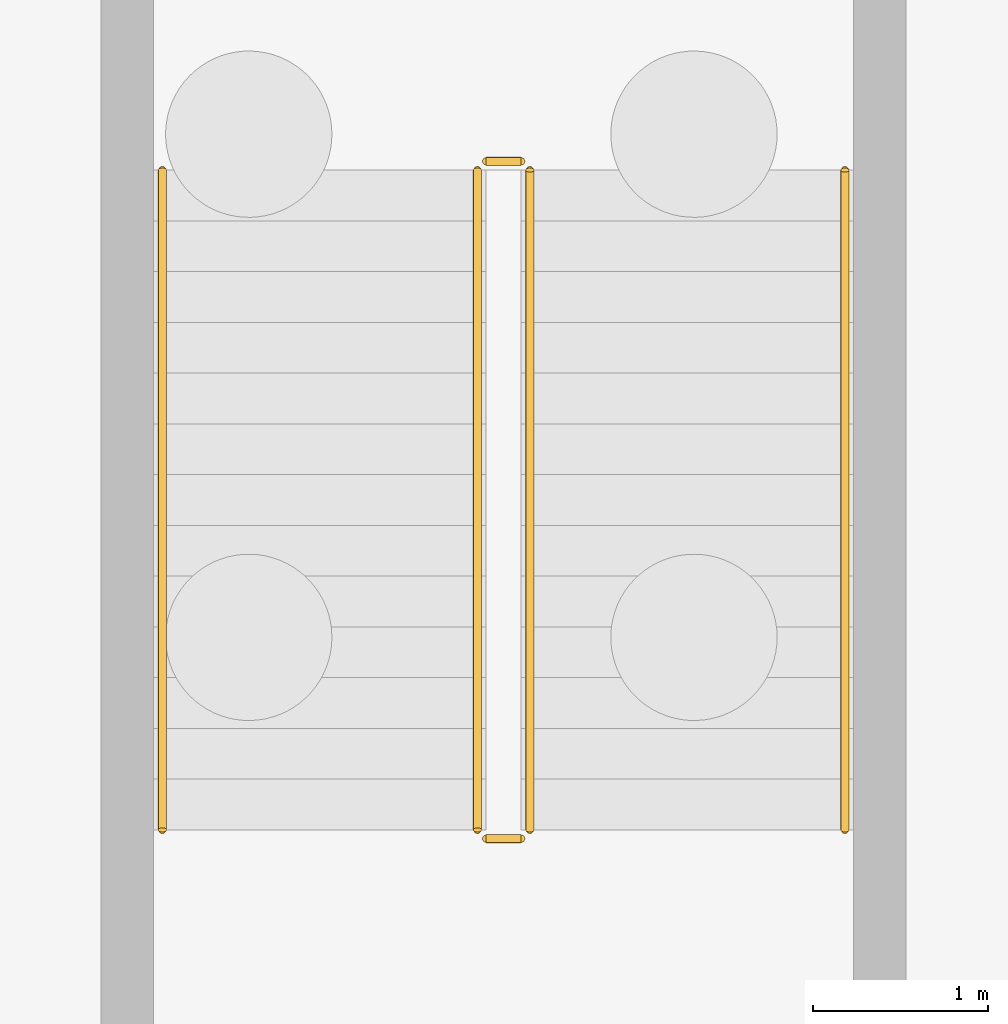
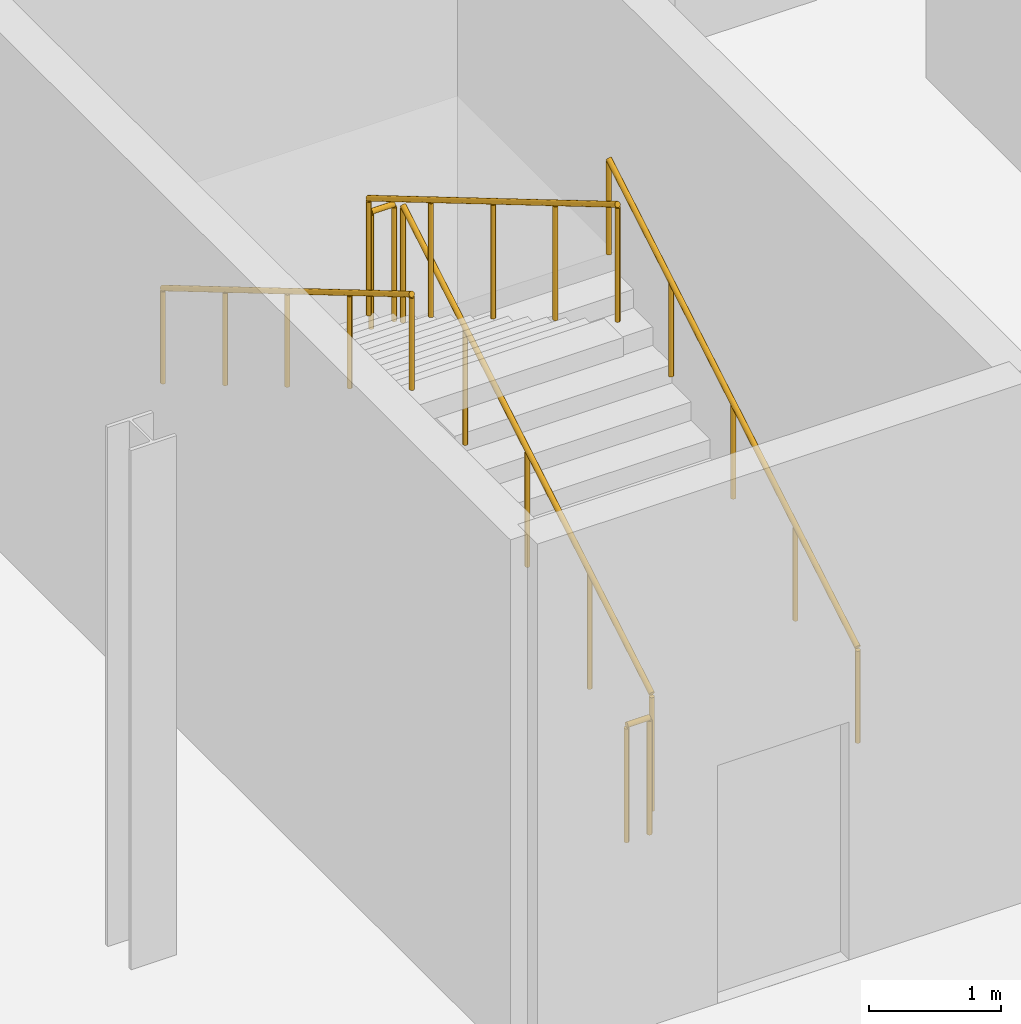
# One storey, part 36 of 37: 6 railings.
"""IFC4 building model written with IfcOpenShell, lengths in metres."""

from ifc_helpers import new_model, si_unit, direction, frame, origin, origin_2d, place, context, subcontext, project, spatial, circle, extrude, material, type_object, element, save


model = new_model("IFC4")

# Units and contexts
model_context = context("Model", 3, precision=1e-05, world=origin(), true_north=direction((0.0, 1.0)))
body_context = subcontext(model_context, "Body", "Model", "MODEL_VIEW")
ifc_project = project(units=[si_unit("LENGTHUNIT", "METRE"), si_unit("AREAUNIT", "SQUARE_METRE"), si_unit("VOLUMEUNIT", "CUBIC_METRE"), si_unit("PLANEANGLEUNIT", "RADIAN"), si_unit("MASSUNIT", "GRAM", prefix="KILO"), si_unit("THERMODYNAMICTEMPERATUREUNIT", "KELVIN"), si_unit("POWERUNIT", "WATT")], contexts=[model_context])

# Site, building, storey
site_placement = place(None, origin())
site = spatial("IfcSite", under=ifc_project, at=site_placement, CompositionType="ELEMENT")
building_placement = place(site_placement, origin())
building = spatial("IfcBuilding", under=site, at=building_placement, Name="Zelmaris Science Centre", CompositionType="ELEMENT")
storey_placement = place(building_placement, frame((0.0, 0.0, -4.800048828125)))
storey = spatial("IfcBuildingStorey", under=building, at=storey_placement, Name="B1", CompositionType="ELEMENT", Elevation=-4.800048828125)

# Railings
ifc_material = material(Name="Architectural bronze alloy C28000")
railing_type_1 = type_object("IfcRailingType", Name="Balustrade GD-01 H1120", PredefinedType="BALUSTRADE", material=ifc_material)
railing_1_placement = place(storey_placement, frame((67.14990234375, 79.449951171875, 0.17138671875)))
element("IfcRailing", 1, at=railing_1_placement, inside=storey, type_object=railing_type_1, Name="B1 ST-3 stair guard 1", PredefinedType="BALUSTRADE", context=body_context, shape_type="SweptSolid", body=[
    extrude(circle(Radius=0.02392578125, at=origin_2d()), frame((0.0, 0.0, 1.076171875), z_axis=(0.0, 0.860824410104, 0.508902087802), x_axis=(-1.0, 0.0, 0.0)), (0.0, 0.0, 1.0), 4.379638671875),
    extrude(circle(Radius=0.02099609375, at=origin_2d()), origin(), (0.0, 0.0, 1.0), 1.052001953125),
    extrude(circle(Radius=0.02099609375, at=origin_2d()), frame((0.0, 0.9423828125, 0.55712890625)), (0.0, 0.0, 1.0), 1.052001953125),
    extrude(circle(Radius=0.02099609375, at=origin_2d()), frame((0.0, 1.885009765625, 1.1142578125)), (0.0, 0.0, 1.0), 1.052001953125),
    extrude(circle(Radius=0.02099609375, at=origin_2d()), frame((0.0, 2.82763671875, 1.671630859375)), (0.0, 0.0, 1.0), 1.052001953125),
    extrude(circle(Radius=0.02099609375, at=origin_2d()), frame((0.0, 3.77001953125, 2.228759765625)), (0.0, 0.0, 1.0), 1.052001953125),
])
railing_2_placement = place(storey_placement, frame((67.10009765625, 83.27001953125, 2.400146484375)))
element("IfcRailing", 2, at=railing_2_placement, inside=storey, type_object=railing_type_1, Name="B1 ST-3 stair guard 2", PredefinedType="BALUSTRADE", context=body_context, shape_type="SweptSolid", body=[
    extrude(circle(Radius=0.02392578125, at=origin_2d()), frame((0.0, 0.0, 1.076171875), z_axis=(-1.0, 0.0, 0.0), x_axis=(0.0, -1.0, 0.0)), (0.0, 0.0, 1.0), 0.2001953125),
    extrude(circle(Radius=0.02099609375, at=origin_2d()), origin(), (0.0, 0.0, 1.0), 1.052001953125),
    extrude(circle(Radius=0.02099609375, at=origin_2d()), frame((-0.2001953125, 0.0, 0.0)), (0.0, 0.0, 1.0), 1.052001953125),
])
railing_3_placement = place(storey_placement, frame((66.85009765625, 83.219970703125, 2.571533203125)))
element("IfcRailing", 3, at=railing_3_placement, inside=storey, type_object=railing_type_1, Name="B1 ST-3 stair guard 3", PredefinedType="BALUSTRADE", context=body_context, shape_type="SweptSolid", body=[
    extrude(circle(Radius=0.02392578125, at=origin_2d()), frame((0.0, 0.0, 1.076171875), z_axis=(0.0, -0.860848830602, 0.508860777473), x_axis=(1.0, 0.0, 0.0)), (0.0, 0.0, 1.0), 4.37939453125),
    extrude(circle(Radius=0.02099609375, at=origin_2d()), origin(), (0.0, 0.0, 1.0), 1.052001953125),
    extrude(circle(Radius=0.02099609375, at=origin_2d()), frame((0.0, -0.9423828125, 0.55712890625)), (0.0, 0.0, 1.0), 1.052001953125),
    extrude(circle(Radius=0.02099609375, at=origin_2d()), frame((0.0, -1.885009765625, 1.1142578125)), (0.0, 0.0, 1.0), 1.052001953125),
    extrude(circle(Radius=0.02099609375, at=origin_2d()), frame((0.0, -2.82763671875, 1.67138671875)), (0.0, 0.0, 1.0), 1.052001953125),
    extrude(circle(Radius=0.02099609375, at=origin_2d()), frame((0.0, -3.77001953125, 2.228515625)), (0.0, 0.0, 1.0), 1.052001953125),
])
railing_4_placement = place(storey_placement, frame((67.10009765625, 79.39990234375, 0.0)))
element("IfcRailing", 4, at=railing_4_placement, inside=storey, type_object=railing_type_1, Name="B1 ST-3 stair guard 4", PredefinedType="BALUSTRADE", context=body_context, shape_type="SweptSolid", body=[
    extrude(circle(Radius=0.02392578125, at=origin_2d()), frame((0.0, 0.0, 1.076171875), z_axis=(-1.0, 0.0, 0.0), x_axis=(0.0, -1.0, 0.0)), (0.0, 0.0, 1.0), 0.2001953125),
    extrude(circle(Radius=0.02099609375, at=origin_2d()), origin(), (0.0, 0.0, 1.0), 1.052001953125),
    extrude(circle(Radius=0.02099609375, at=origin_2d()), frame((-0.2001953125, 0.0, 0.0)), (0.0, 0.0, 1.0), 1.052001953125),
])
railing_type_2 = type_object("IfcRailingType", Name="Handrail HR-01 H900", PredefinedType="HANDRAIL", material=ifc_material)
railing_5_placement = place(storey_placement, frame((68.949951171875, 79.449951171875, 0.17138671875)))
element("IfcRailing", 5, at=railing_5_placement, inside=storey, type_object=railing_type_2, Name="B1 ST-3 stair handrail 1", PredefinedType="HANDRAIL", context=body_context, shape_type="SweptSolid", body=[
    extrude(circle(Radius=0.02392578125, at=origin_2d()), frame((0.0, 0.0, 0.8759765625), z_axis=(0.0, 0.860824410104, 0.508902087802), x_axis=(-1.0, 0.0, 0.0)), (0.0, 0.0, 1.0), 4.379638671875),
    extrude(circle(Radius=0.02099609375, at=origin_2d()), origin(), (0.0, 0.0, 1.0), 0.851806640625),
    extrude(circle(Radius=0.02099609375, at=origin_2d()), frame((0.0, 0.9423828125, 0.55712890625)), (0.0, 0.0, 1.0), 0.851806640625),
    extrude(circle(Radius=0.02099609375, at=origin_2d()), frame((0.0, 1.885009765625, 1.1142578125)), (0.0, 0.0, 1.0), 0.851806640625),
    extrude(circle(Radius=0.02099609375, at=origin_2d()), frame((0.0, 2.82763671875, 1.671630859375)), (0.0, 0.0, 1.0), 0.851806640625),
    extrude(circle(Radius=0.02099609375, at=origin_2d()), frame((0.0, 3.77001953125, 2.228759765625)), (0.0, 0.0, 1.0), 0.851806640625),
])
railing_6_placement = place(storey_placement, frame((65.050048828125, 83.219970703125, 2.571533203125)))
element("IfcRailing", 6, at=railing_6_placement, inside=storey, type_object=railing_type_2, Name="B1 ST-3 stair handrail 2", PredefinedType="HANDRAIL", context=body_context, shape_type="SweptSolid", body=[
    extrude(circle(Radius=0.02392578125, at=origin_2d()), frame((0.0, 0.0, 0.8759765625), z_axis=(0.0, -0.860848830602, 0.508860777473), x_axis=(1.0, 0.0, 0.0)), (0.0, 0.0, 1.0), 4.37939453125),
    extrude(circle(Radius=0.02099609375, at=origin_2d()), origin(), (0.0, 0.0, 1.0), 0.851806640625),
    extrude(circle(Radius=0.02099609375, at=origin_2d()), frame((0.0, -0.9423828125, 0.55712890625)), (0.0, 0.0, 1.0), 0.851806640625),
    extrude(circle(Radius=0.02099609375, at=origin_2d()), frame((0.0, -1.885009765625, 1.1142578125)), (0.0, 0.0, 1.0), 0.851806640625),
    extrude(circle(Radius=0.02099609375, at=origin_2d()), frame((0.0, -2.82763671875, 1.67138671875)), (0.0, 0.0, 1.0), 0.851806640625),
    extrude(circle(Radius=0.02099609375, at=origin_2d()), frame((0.0, -3.77001953125, 2.228515625)), (0.0, 0.0, 1.0), 0.851806640625),
])

save(model, "model.ifc")
